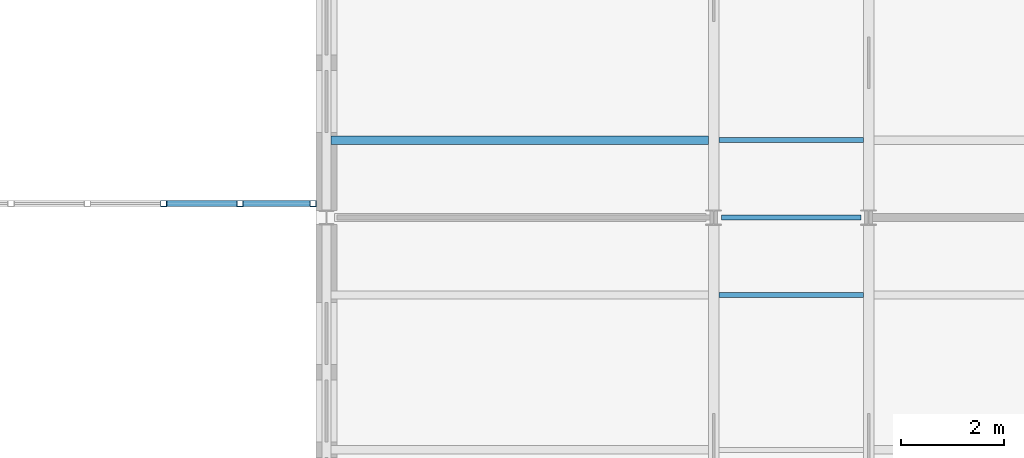
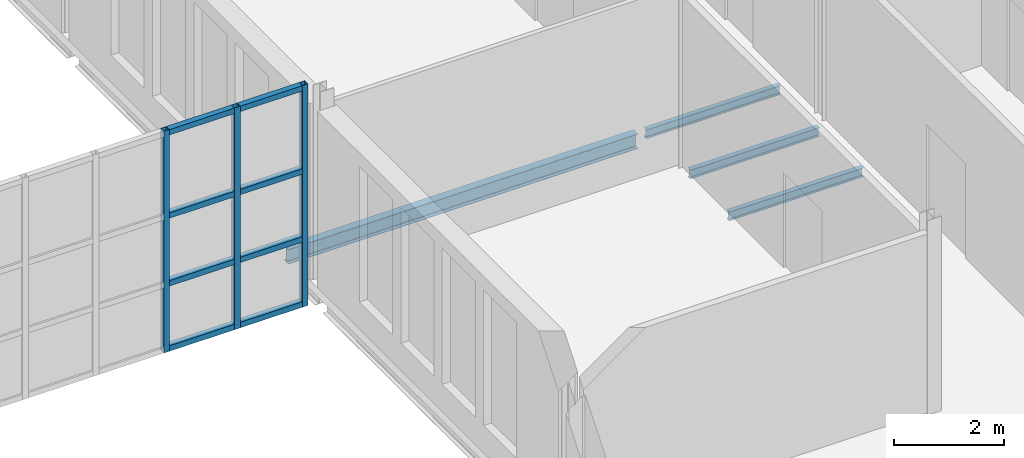
# One storey, part 30 of 134: 11 members, 4 beams, 1 element without a shape of its own.
"""IFC4 building model written with IfcOpenShell, lengths in metres."""

from ifc_helpers import new_model, si_unit, direction, frame, origin, origin_2d, place, context, subcontext, project, spatial, hollow_rectangle, i_section, extrude, material, material_profile, profile_set, type_object, element, aggregate, save


model = new_model("IFC4")

# Units and contexts
model_context = context("Model", 3, precision=1e-05, world=origin(), true_north=direction((0.0, 1.0)))
body_context = subcontext(model_context, "Body", "Model", "MODEL_VIEW")
ifc_project = project(units=[si_unit("LENGTHUNIT", "METRE"), si_unit("AREAUNIT", "SQUARE_METRE"), si_unit("VOLUMEUNIT", "CUBIC_METRE"), si_unit("PLANEANGLEUNIT", "RADIAN"), si_unit("MASSUNIT", "GRAM", prefix="KILO")], contexts=[model_context])

# Site, building, storey
site_placement = place(None, origin())
site = spatial("IfcSite", under=ifc_project, at=site_placement, CompositionType="ELEMENT")
building_placement = place(site_placement, origin())
building = spatial("IfcBuilding", under=site, at=building_placement, Name="Golden Quay Civic Hall", CompositionType="ELEMENT")
storey_placement = place(building_placement, frame((0.0, 0.0, 5.39990234375)))
storey = spatial("IfcBuildingStorey", under=building, at=storey_placement, Name="L01", CompositionType="ELEMENT", Elevation=5.39990234375)

# Curtain wall, members
ifc_material_1 = material(Name="Fire-resisting glass and steel", Category="steel")
curtain_wall_type = type_object("IfcCurtainWallType", Name="Fire-resisting glazed curtain wall EI 120", PredefinedType="NOTDEFINED", material=ifc_material_1)
curtain_wall_placement = place(storey_placement, origin())
curtain_wall = element("IfcCurtainWall", 1, at=curtain_wall_placement, inside=storey, type_object=curtain_wall_type, Name="CW3 curtain wall", PredefinedType="NOTDEFINED")
ifc_material_2 = material(Name="Steel S355", Category="steel")
ifc_material_profile_1 = material_profile(ifc_material_2, hollow_rectangle(XDim=0.1201171875, YDim=0.1201171875, WallThickness=0.008056640625, at=origin_2d()), Name="SHS 120x120x8")
ifc_profile_set_1 = profile_set([ifc_material_profile_1], Name="Steel S355")
member_type_1 = type_object("IfcMemberType", Name="Fire-resisting steel mullion SHS 120x120x8", PredefinedType="MULLION", material=ifc_profile_set_1)
member_1_placement = place(storey_placement, frame((95.844482421875, 18.27001953125, -0.599853515625), z_axis=(0.0, 0.0, 1.0), x_axis=(0.0, 1.0, 0.0)))
member_1 = element("IfcMember", 2, at=member_1_placement, type_object=member_type_1, Name="CW3 mullion 17", PredefinedType="MULLION", context=body_context, shape_type="SweptSolid", body=[
    extrude(hollow_rectangle(XDim=0.1201171875, YDim=0.1201171875, WallThickness=0.008056640625, at=origin_2d()), origin(), (0.0, 0.0, 1.0), 4.89990234375),
])
member_2_placement = place(storey_placement, frame((97.322265625, 18.27001953125, -0.599853515625), z_axis=(0.0, 0.0, 1.0), x_axis=(0.0, 1.0, 0.0)))
member_2 = element("IfcMember", 3, at=member_2_placement, type_object=member_type_1, Name="CW3 mullion 18", PredefinedType="MULLION", context=body_context, shape_type="SweptSolid", body=[
    extrude(hollow_rectangle(XDim=0.1201171875, YDim=0.1201171875, WallThickness=0.008056640625, at=origin_2d()), origin(), (0.0, 0.0, 1.0), 4.89990234375),
])
member_3_placement = place(storey_placement, frame((98.739990234375, 18.27001953125, -0.599853515625), z_axis=(0.0, 0.0, 1.0), x_axis=(0.0, 1.0, 0.0)))
member_3 = element("IfcMember", 4, at=member_3_placement, type_object=member_type_1, Name="CW3 mullion 19", PredefinedType="MULLION", context=body_context, shape_type="SweptSolid", body=[
    extrude(hollow_rectangle(XDim=0.1201171875, YDim=0.1201171875, WallThickness=0.008056640625, at=origin_2d()), origin(), (0.0, 0.0, 1.0), 4.89990234375),
])
ifc_material_3 = material(Name="Steel S355", Category="steel")
ifc_material_profile_2 = material_profile(ifc_material_3, hollow_rectangle(XDim=0.1201171875, YDim=0.1201171875, WallThickness=0.008056640625, at=origin_2d()), Name="SHS 120x120x8")
ifc_profile_set_2 = profile_set([ifc_material_profile_2], Name="Steel S355")
member_type_2 = type_object("IfcMemberType", Name="Fire-resisting steel transom SHS 120x120x8", PredefinedType="USERDEFINED", material=ifc_profile_set_2)
member_4_placement = place(storey_placement, frame((95.904541015625, 18.27001953125, -0.539794921875), z_axis=(1.0, 0.0, 0.0), x_axis=(0.0, 1.0, 0.0)))
member_4 = element("IfcMember", 5, at=member_4_placement, type_object=member_type_2, Name="CW3 transom 17.1", ObjectType="TRANSOM", PredefinedType="USERDEFINED", context=body_context, shape_type="SweptSolid", body=[
    extrude(hollow_rectangle(XDim=0.1201171875, YDim=0.1201171875, WallThickness=0.008056640625, at=origin_2d()), origin(), (0.0, 0.0, 1.0), 1.357666015625),
])
member_5_placement = place(storey_placement, frame((95.904541015625, 18.27001953125, 0.900146484375), z_axis=(1.0, 0.0, 0.0), x_axis=(0.0, 1.0, 0.0)))
member_5 = element("IfcMember", 6, at=member_5_placement, type_object=member_type_2, Name="CW3 transom 17.2", ObjectType="TRANSOM", PredefinedType="USERDEFINED", context=body_context, shape_type="SweptSolid", body=[
    extrude(hollow_rectangle(XDim=0.1201171875, YDim=0.1201171875, WallThickness=0.008056640625, at=origin_2d()), origin(), (0.0, 0.0, 1.0), 1.357666015625),
])
member_6_placement = place(storey_placement, frame((95.904541015625, 18.27001953125, 2.400146484375), z_axis=(1.0, 0.0, 0.0), x_axis=(0.0, 1.0, 0.0)))
member_6 = element("IfcMember", 7, at=member_6_placement, type_object=member_type_2, Name="CW3 transom 17.3", ObjectType="TRANSOM", PredefinedType="USERDEFINED", context=body_context, shape_type="SweptSolid", body=[
    extrude(hollow_rectangle(XDim=0.1201171875, YDim=0.1201171875, WallThickness=0.008056640625, at=origin_2d()), origin(), (0.0, 0.0, 1.0), 1.357666015625),
])
member_7_placement = place(storey_placement, frame((95.904541015625, 18.27001953125, 4.239990234375), z_axis=(1.0, 0.0, 0.0), x_axis=(0.0, 1.0, 0.0)))
member_7 = element("IfcMember", 8, at=member_7_placement, type_object=member_type_2, Name="CW3 transom 17.4", ObjectType="TRANSOM", PredefinedType="USERDEFINED", context=body_context, shape_type="SweptSolid", body=[
    extrude(hollow_rectangle(XDim=0.1201171875, YDim=0.1201171875, WallThickness=0.008056640625, at=origin_2d()), origin(), (0.0, 0.0, 1.0), 1.357666015625),
])
member_8_placement = place(storey_placement, frame((97.38232421875, 18.27001953125, -0.539794921875), z_axis=(1.0, 0.0, 0.0), x_axis=(0.0, 1.0, 0.0)))
member_8 = element("IfcMember", 9, at=member_8_placement, type_object=member_type_2, Name="CW3 transom 18.1", ObjectType="TRANSOM", PredefinedType="USERDEFINED", context=body_context, shape_type="SweptSolid", body=[
    extrude(hollow_rectangle(XDim=0.1201171875, YDim=0.1201171875, WallThickness=0.008056640625, at=origin_2d()), origin(), (0.0, 0.0, 1.0), 1.297607421875),
])
member_9_placement = place(storey_placement, frame((97.38232421875, 18.27001953125, 0.900146484375), z_axis=(1.0, 0.0, 0.0), x_axis=(0.0, 1.0, 0.0)))
member_9 = element("IfcMember", 10, at=member_9_placement, type_object=member_type_2, Name="CW3 transom 18.2", ObjectType="TRANSOM", PredefinedType="USERDEFINED", context=body_context, shape_type="SweptSolid", body=[
    extrude(hollow_rectangle(XDim=0.1201171875, YDim=0.1201171875, WallThickness=0.008056640625, at=origin_2d()), origin(), (0.0, 0.0, 1.0), 1.297607421875),
])
member_10_placement = place(storey_placement, frame((97.38232421875, 18.27001953125, 2.400146484375), z_axis=(1.0, 0.0, 0.0), x_axis=(0.0, 1.0, 0.0)))
member_10 = element("IfcMember", 11, at=member_10_placement, type_object=member_type_2, Name="CW3 transom 18.3", ObjectType="TRANSOM", PredefinedType="USERDEFINED", context=body_context, shape_type="SweptSolid", body=[
    extrude(hollow_rectangle(XDim=0.1201171875, YDim=0.1201171875, WallThickness=0.008056640625, at=origin_2d()), origin(), (0.0, 0.0, 1.0), 1.297607421875),
])
member_11_placement = place(storey_placement, frame((97.38232421875, 18.27001953125, 4.239990234375), z_axis=(1.0, 0.0, 0.0), x_axis=(0.0, 1.0, 0.0)))
member_11 = element("IfcMember", 12, at=member_11_placement, type_object=member_type_2, Name="CW3 transom 18.4", ObjectType="TRANSOM", PredefinedType="USERDEFINED", context=body_context, shape_type="SweptSolid", body=[
    extrude(hollow_rectangle(XDim=0.1201171875, YDim=0.1201171875, WallThickness=0.008056640625, at=origin_2d()), origin(), (0.0, 0.0, 1.0), 1.297607421875),
])
aggregate(curtain_wall, [member_1, member_2, member_3, member_4, member_5, member_6, member_7, member_8, member_9, member_10, member_11])

# Beams
ifc_material_4 = material(Name="Steel S355", Category="steel")
ifc_material_profile_3 = material_profile(ifc_material_4, i_section(OverallWidth=0.10009765625, OverallDepth=0.199951171875, WebThickness=0.005615234375, FlangeThickness=0.008544921875, FilletRadius=0.011962890625, at=origin_2d()), Name="IPE 200")
ifc_profile_set_3 = profile_set([ifc_material_profile_3], Name="Steel S355")
beam_type_1 = type_object("IfcBeamType", Name="Steel beam IPE 200", PredefinedType="BEAM", material=ifc_profile_set_3)
beam_1_placement = place(storey_placement, frame((106.64990234375, 18.0, -0.2998046875), z_axis=(1.0, 0.0, 0.0), x_axis=(0.0, 1.0, 0.0)))
element("IfcBeam", 13, at=beam_1_placement, inside=storey, type_object=beam_type_1, Name="Beam S18-106.5", PredefinedType="BEAM", context=body_context, shape_type="SweptSolid", body=[
    extrude(i_section(OverallWidth=0.10009765625, OverallDepth=0.199951171875, WebThickness=0.005615234375, FlangeThickness=0.008544921875, FilletRadius=0.011962890625, at=origin_2d()), origin(), (0.0, 0.0, 1.0), 2.7001953125),
])
ifc_material_5 = material(Name="Steel S355", Category="steel")
ifc_material_profile_4 = material_profile(ifc_material_5, i_section(OverallWidth=0.10009765625, OverallDepth=0.199951171875, WebThickness=0.005615234375, FlangeThickness=0.008544921875, FilletRadius=0.011962890625, at=origin_2d()), Name="IPE 200")
ifc_profile_set_4 = profile_set([ifc_material_profile_4], Name="Steel S355")
beam_type_2 = type_object("IfcBeamType", Name="Steel joist IPE 200", PredefinedType="JOIST", material=ifc_profile_set_4)
for number, where, z_axis, x_axis, name in (
    (14, (106.60009765625, 16.5, -0.2998046875), (1.0, 0.0, 0.0), (0.0, 1.0, 0.0), "Joist J16.5-106.5"),
    (15, (106.60009765625, 19.5, -0.2998046875), (1.0, 0.0, 0.0), (0.0, 1.0, 0.0), "Joist J19.5-106.5"),
):
    element("IfcBeam", number, at=place(storey_placement, frame(where, z_axis=z_axis, x_axis=x_axis)), inside=storey, type_object=beam_type_2, Name=name, PredefinedType="JOIST", context=body_context, shape_type="SweptSolid", body=[
        extrude(i_section(OverallWidth=0.10009765625, OverallDepth=0.199951171875, WebThickness=0.005615234375, FlangeThickness=0.008544921875, FilletRadius=0.011962890625, at=origin_2d()), origin(), (0.0, 0.0, 1.0), 2.7998046875),
    ])
ifc_material_6 = material(Name="Steel S355", Category="steel")
ifc_material_profile_5 = material_profile(ifc_material_6, i_section(OverallWidth=0.159912109375, OverallDepth=0.330078125, WebThickness=0.007568359375, FlangeThickness=0.011474609375, FilletRadius=0.01806640625, at=origin_2d()), Name="IPE 330")
ifc_profile_set_5 = profile_set([ifc_material_profile_5], Name="Steel S355")
beam_type_3 = type_object("IfcBeamType", Name="Steel joist IPE 330", PredefinedType="JOIST", material=ifc_profile_set_5)
beam_2_placement = place(storey_placement, frame((99.090087890625, 19.5, -0.364990234375), z_axis=(1.0, 0.0, 0.0), x_axis=(0.0, 1.0, 0.0)))
element("IfcBeam", 16, at=beam_2_placement, inside=storey, type_object=beam_type_3, Name="Joist J19.5-99", PredefinedType="JOIST", context=body_context, shape_type="SweptSolid", body=[
    extrude(i_section(OverallWidth=0.159912109375, OverallDepth=0.330078125, WebThickness=0.007568359375, FlangeThickness=0.011474609375, FilletRadius=0.01806640625, at=origin_2d()), origin(), (0.0, 0.0, 1.0), 7.309814453125),
])

save(model, "model.ifc")
